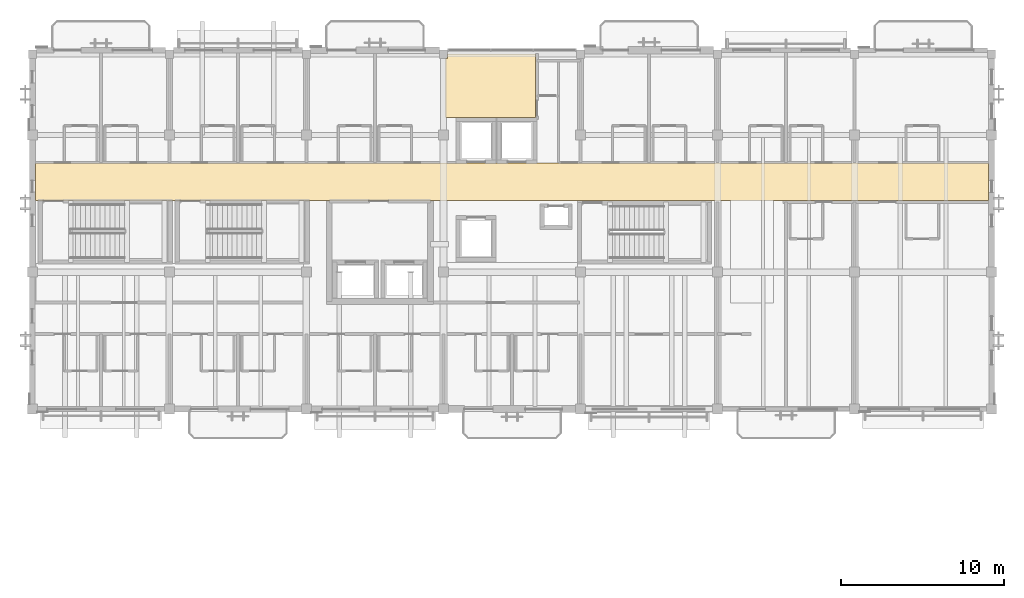
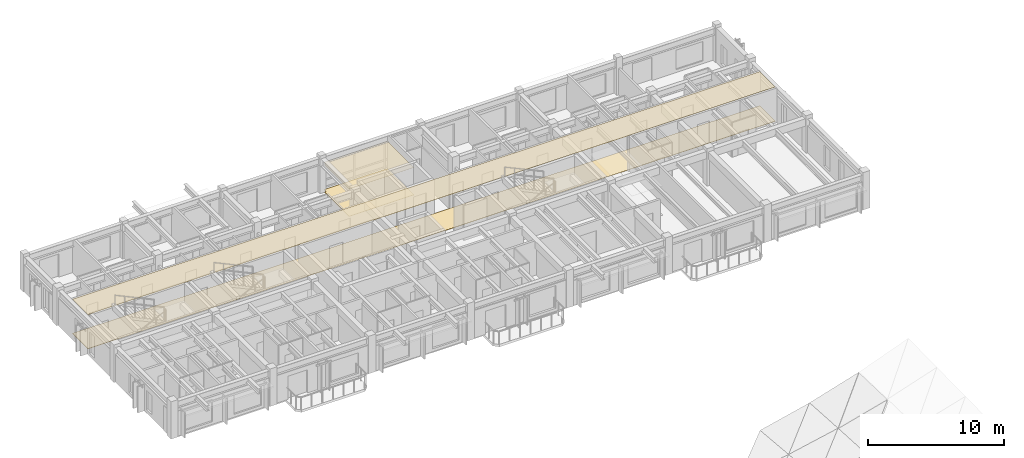
# One storey, part 29 of 31: 4 coverings.
"""IFC4 building model written with IfcOpenShell, lengths in metres."""

import ifcopenshell
import ifcopenshell.guid

model = None  # the IFC model being written
_history = None  # IfcOwnerHistory: only IFC2X3 demands one
_inside = {}  # id of a spatial element -> (the spatial element, [elements in it])
_under = {}  # id of a project, library or spatial element -> (it, [spatial elements below it])
_declared = {}  # id of a project -> (the project, [libraries it declares])
_typed = {}  # id of a type object -> (the type object, [elements of that type])
_made_of = {}  # id of a material, layer set ... -> (it, [elements and type objects made of it])


def new_model(schema):
    """Start an empty IFC model of exactly this schema.

    Asked for "IFC4X3", IfcOpenShell would pick the latest addendum, in which some entities
    have other attributes; the version numbers below select the first issue.
    IFC2X3 requires an IfcOwnerHistory on every rooted entity: one is made here for all.
    """
    global model, _history
    if schema == "IFC4X3":
        model = ifcopenshell.file(schema_version=(4, 3, 0, 0))
    else:
        model = ifcopenshell.file(schema=schema)
    _inside.clear()
    _under.clear()
    _declared.clear()
    _typed.clear()
    _made_of.clear()
    _history = None
    if model.schema == "IFC2X3":
        org = make("IfcOrganization", Name="unknown")
        user = make(
            "IfcPersonAndOrganization",
            ThePerson=make("IfcPerson", FamilyName="unknown"),
            TheOrganization=org,
        )
        app = make(
            "IfcApplication",
            ApplicationDeveloper=org,
            Version="unknown",
            ApplicationFullName="unknown",
            ApplicationIdentifier="unknown",
        )
        _history = make(
            "IfcOwnerHistory",
            OwningUser=user,
            OwningApplication=app,
            ChangeAction="ADDED",
            CreationDate=0,
        )
    return model


def make(cls, **values):
    """One entity of the class cls with the attributes given. An attribute that is None is left unset."""
    return model.create_entity(
        cls, **{name: value for name, value in values.items() if value is not None}
    )


def rooted(cls, **values):
    """An entity with a GlobalId (a new one), such as an element, a storey or a relation."""
    return make(cls, GlobalId=ifcopenshell.guid.new(), OwnerHistory=_history, **values)


def si_unit(unit_type, name, prefix=None):
    """IfcSIUnit, for example si_unit("LENGTHUNIT", "METRE", prefix="MILLI")."""
    return make("IfcSIUnit", UnitType=unit_type, Prefix=prefix, Name=name)


def assignment(units):
    """IfcUnitAssignment: the units of a project."""
    return None if units is None else make("IfcUnitAssignment", Units=units)


def point(xyz):
    """IfcCartesianPoint."""
    return None if xyz is None else make("IfcCartesianPoint", Coordinates=xyz)


def direction(xyz):
    """IfcDirection."""
    return None if xyz is None else make("IfcDirection", DirectionRatios=xyz)


def frame(location, z_axis=None, x_axis=None):
    """IfcAxis2Placement3D, a coordinate frame: its origin and axes. An axis left out is left unset."""
    return make(
        "IfcAxis2Placement3D",
        Location=point(location),
        Axis=direction(z_axis),
        RefDirection=direction(x_axis),
    )


def origin():
    """The frame at (0, 0, 0) with its axes left unset."""
    return frame((0.0, 0.0, 0.0))


def place(relative_to, where):
    """IfcLocalPlacement: puts the frame where relative to a parent placement (None: the world)."""
    return make(
        "IfcLocalPlacement", PlacementRelTo=relative_to, RelativePlacement=where
    )


def context(
    kind, dimensions, precision=None, world=None, true_north=None, identifier=None
):
    """IfcGeometricRepresentationContext, for example the 3D "Model" context."""
    return make(
        "IfcGeometricRepresentationContext",
        ContextIdentifier=identifier,
        ContextType=kind,
        CoordinateSpaceDimension=dimensions,
        Precision=precision,
        WorldCoordinateSystem=world,
        TrueNorth=true_north,
    )


def subcontext(parent, identifier, kind, view, scale=None):
    """IfcGeometricRepresentationSubContext, for example "Body" below "Model"."""
    return make(
        "IfcGeometricRepresentationSubContext",
        ContextIdentifier=identifier,
        ContextType=kind,
        ParentContext=parent,
        TargetScale=scale,
        TargetView=view,
    )


def project(units=None, contexts=None):
    """IfcProject with its units and contexts."""
    return rooted(
        "IfcProject",
        Name="project",
        RepresentationContexts=contexts,
        UnitsInContext=assignment(units),
    )


def spatial(cls, under=None, at=None, **own):
    """A site, building, storey or space (cls), placed at a placement, below another one or the project."""
    s = rooted(cls, ObjectPlacement=at, **own)
    if under is not None:
        _under.setdefault(under.id(), (under, []))[1].append(s)
    return s


def polyline(points):
    """IfcPolyline through the points."""
    return make("IfcPolyline", Points=[point(p) for p in points])


def outline(outer, holes=None, kind="AREA"):
    """IfcArbitraryClosedProfileDef: a profile drawn as a closed curve; with holes, ...WithVoids."""
    if holes is None:
        return make("IfcArbitraryClosedProfileDef", ProfileType=kind, OuterCurve=outer)
    return make(
        "IfcArbitraryProfileDefWithVoids",
        ProfileType=kind,
        OuterCurve=outer,
        InnerCurves=holes,
    )


def extrude(swept, where, along, depth):
    """IfcExtrudedAreaSolid: the profile swept, set in the frame where, extruded along a direction by depth."""
    return make(
        "IfcExtrudedAreaSolid",
        SweptArea=swept,
        Position=where,
        ExtrudedDirection=direction(along),
        Depth=depth,
    )


def shape(context_of_items, identifier, shape_type, items):
    """IfcShapeRepresentation: the items that make up one representation, for example the "Body"."""
    return make(
        "IfcShapeRepresentation",
        ContextOfItems=context_of_items,
        RepresentationIdentifier=identifier,
        RepresentationType=shape_type,
        Items=items,
    )


def material(Name=None, Category=None):
    """IfcMaterial."""
    return make("IfcMaterial", Name=Name, Category=Category)


def layer(
    of_material, thickness, ventilated=None, Name=None, Category=None, Priority=None
):
    """IfcMaterialLayer: one layer of a wall or slab, of a material (None: an air gap)."""
    return make(
        "IfcMaterialLayer",
        Material=of_material,
        LayerThickness=thickness,
        IsVentilated=ventilated,
        Name=Name,
        Category=Category,
        Priority=Priority,
    )


def layer_set(layers, Name=None):
    """IfcMaterialLayerSet."""
    return make("IfcMaterialLayerSet", MaterialLayers=layers, LayerSetName=Name)


def made_of(thing, what):
    """Note that an element or type object is made of a material, layer set ...; save() writes the relation."""
    if what is not None:
        _made_of.setdefault(what.id(), (what, []))[1].append(thing)
    return thing


def type_object(cls, material=None, **own):
    """A type object (cls), such as IfcWallType, which elements share."""
    return made_of(rooted(cls, **own), material)


def element(
    cls,
    number,
    at=None,
    inside=None,
    cuts=None,
    type_object=None,
    material=None,
    context=None,
    identifier="Body",
    shape_type=None,
    held_by="IfcProductDefinitionShape",
    body=None,
    shapes=None,
    **own,
):
    """One element of the class cls, such as IfcWall. Its Tag is "e" and its number.

    at: its placement. inside: the storey or other place that contains it. cuts: it is an
    opening in that element (IfcRelVoidsElement). A single representation is given by context,
    identifier, shape_type and body (its items); several are given by shapes. held_by: the class
    of the entity that holds the representations. save() writes the other relations.
    """
    e = rooted(cls, Tag="e%d" % number, ObjectPlacement=at, **own)
    if body is not None:
        shapes = [shape(context, identifier, shape_type, body)]
    if shapes is not None:
        e.Representation = make(held_by, Representations=shapes)
    if inside is not None:
        _inside.setdefault(inside.id(), (inside, []))[1].append(e)
    if cuts is not None:
        rooted(
            "IfcRelVoidsElement", RelatingBuildingElement=cuts, RelatedOpeningElement=e
        )
    if type_object is not None:
        _typed.setdefault(type_object.id(), (type_object, []))[1].append(e)
    return made_of(e, material)


def aggregate(whole, parts):
    """IfcRelAggregates: a whole, such as a stair, and the parts it consists of."""
    return rooted("IfcRelAggregates", RelatingObject=whole, RelatedObjects=parts)


def save(model, path):
    """Write the relations noted so far, then the file.

    IfcRelAggregates (storeys below a building ...), IfcRelContainedInSpatialStructure (elements
    in a storey), IfcRelDefinesByType, IfcRelAssociatesMaterial and IfcRelDeclares: one each for
    every whole, place, type object, material and project.
    """
    for whole, parts in _under.values():
        aggregate(whole, parts)
    for where, things in _inside.values():
        rooted(
            "IfcRelContainedInSpatialStructure",
            RelatedElements=things,
            RelatingStructure=where,
        )
    for kind, things in _typed.values():
        rooted("IfcRelDefinesByType", RelatedObjects=things, RelatingType=kind)
    for what, things in _made_of.values():
        rooted("IfcRelAssociatesMaterial", RelatedObjects=things, RelatingMaterial=what)
    for by, libraries in _declared.values():
        rooted("IfcRelDeclares", RelatingContext=by, RelatedDefinitions=libraries)
    model.write(path)


model = new_model("IFC4")

# Units and contexts
model_context = context("Model", 3, precision=1e-05, world=origin(), true_north=direction((0.0, 1.0)))
body_context = subcontext(model_context, "Body", "Model", "MODEL_VIEW")
ifc_project = project(units=[si_unit("LENGTHUNIT", "METRE"), si_unit("AREAUNIT", "SQUARE_METRE"), si_unit("VOLUMEUNIT", "CUBIC_METRE"), si_unit("PLANEANGLEUNIT", "RADIAN"), si_unit("MASSUNIT", "GRAM", prefix="KILO")], contexts=[model_context])

# Site, building, storey
site_placement = place(None, origin())
site = spatial("IfcSite", under=ifc_project, at=site_placement, CompositionType="ELEMENT")
building_placement = place(site_placement, origin())
building = spatial("IfcBuilding", under=site, at=building_placement, Name="Cumbredor Promenade Congress Hotel", CompositionType="ELEMENT")
storey_placement = place(building_placement, frame((0.0, 0.0, 31.919921875)))
storey = spatial("IfcBuildingStorey", under=building, at=storey_placement, Name="L09", CompositionType="ELEMENT", Elevation=31.919921875)

# Coverings
ifc_material_1 = material(Name="Acoustic mineral-fiber and gypsum ceiling")
ifc_layer_1 = layer(ifc_material_1, 0.01806640625, Name="Acoustic mineral-fiber and gypsum ceiling")
ifc_layer_set_1 = layer_set([ifc_layer_1], Name="Acoustic mineral-fiber and gypsum ceiling")
covering_type_1 = type_object("IfcCoveringType", Name="Acoustic Perforated Gypsum Ceiling CLG-01 18mm", PredefinedType="CEILING", material=ifc_layer_set_1)
covering_1_placement = place(storey_placement, frame((0.0, 0.0, 2.47216796875)))
element("IfcCovering", 1, at=covering_1_placement, inside=storey, type_object=covering_type_1, Name="L09 Cordillera Reading Salon Acoustic Ceiling", PredefinedType="CEILING", context=body_context, shape_type="SweptSolid", body=[
    extrude(outline(polyline([(39.239990234375, 114.177001953125), (39.239990234375, 110.280029296875), (33.72998046875, 110.280029296875), (33.72998046875, 113.89501953125), (33.85498046875, 113.89501953125), (33.85498046875, 114.177001953125), (39.239990234375, 114.177001953125)])), origin(), (0.0, 0.0, 1.0), 0.017822265625),
])
ifc_layer_2 = layer(ifc_material_1, 0.031982421875, Name="Acoustic mineral-fiber and gypsum ceiling")
ifc_layer_set_2 = layer_set([ifc_layer_2], Name="Acoustic mineral-fiber and gypsum ceiling")
covering_type_2 = type_object("IfcCoveringType", Name="Acoustic Perforated Gypsum Ceiling CLG-04 32mm", PredefinedType="CEILING", material=ifc_layer_set_2)
covering_2_placement = place(storey_placement, frame((0.0, 0.0, 3.068115234375)))
element("IfcCovering", 2, at=covering_2_placement, inside=storey, type_object=covering_type_2, Name="L09 Hotel Guest Corridor Acoustic Ceiling", PredefinedType="CEILING", context=body_context, shape_type="SweptSolid", body=[
    extrude(outline(polyline([(66.9951171875, 105.179931640625), (66.9951171875, 107.469970703125), (8.60498046875, 107.469970703125), (8.60498046875, 105.179931640625), (66.9951171875, 105.179931640625)])), origin(), (0.0, 0.0, 1.0), 0.031982421875),
])
ifc_material_2 = material(Name="Porcelain stoneware tile", Category="masonry")
ifc_layer_3 = layer(ifc_material_2, 0.02490234375, Name="Porcelain stoneware tile", Category="masonry")
ifc_layer_set_3 = layer_set([ifc_layer_3], Name="Porcelain stoneware tile")
covering_type_3 = type_object("IfcCoveringType", Name="Porcelain Stoneware Flooring FLR-02 25mm", PredefinedType="FLOORING", material=ifc_layer_set_3)
covering_3_placement = place(storey_placement, origin())
element("IfcCovering", 3, at=covering_3_placement, inside=storey, type_object=covering_type_3, Name="L09 Hotel Guest Corridor Porcelain Flooring", PredefinedType="FLOORING", context=body_context, shape_type="SweptSolid", body=[
    extrude(outline(polyline([(66.9951171875, 105.179931640625), (66.9951171875, 107.469970703125), (8.60498046875, 107.469970703125), (8.60498046875, 105.179931640625), (66.9951171875, 105.179931640625)])), origin(), (0.0, 0.0, 1.0), 0.025146484375),
])
ifc_layer_4 = layer(ifc_material_2, 0.030029296875, Name="Porcelain stoneware tile", Category="masonry")
ifc_layer_set_4 = layer_set([ifc_layer_4], Name="Porcelain stoneware tile")
covering_type_4 = type_object("IfcCoveringType", Name="Porcelain Stoneware Flooring FLR-03 30mm", PredefinedType="FLOORING", material=ifc_layer_set_4)
covering_4_placement = place(storey_placement, origin())
element("IfcCovering", 4, at=covering_4_placement, inside=storey, type_object=covering_type_4, Name="L09 Cordillera Reading Salon Porcelain Flooring", PredefinedType="FLOORING", context=body_context, shape_type="SweptSolid", body=[
    extrude(outline(polyline([(39.239990234375, 114.177001953125), (39.239990234375, 110.280029296875), (33.72998046875, 110.280029296875), (33.72998046875, 113.89501953125), (33.85498046875, 113.89501953125), (33.85498046875, 114.177001953125), (39.239990234375, 114.177001953125)])), origin(), (0.0, 0.0, 1.0), 0.030029296875),
])

save(model, "model.ifc")
